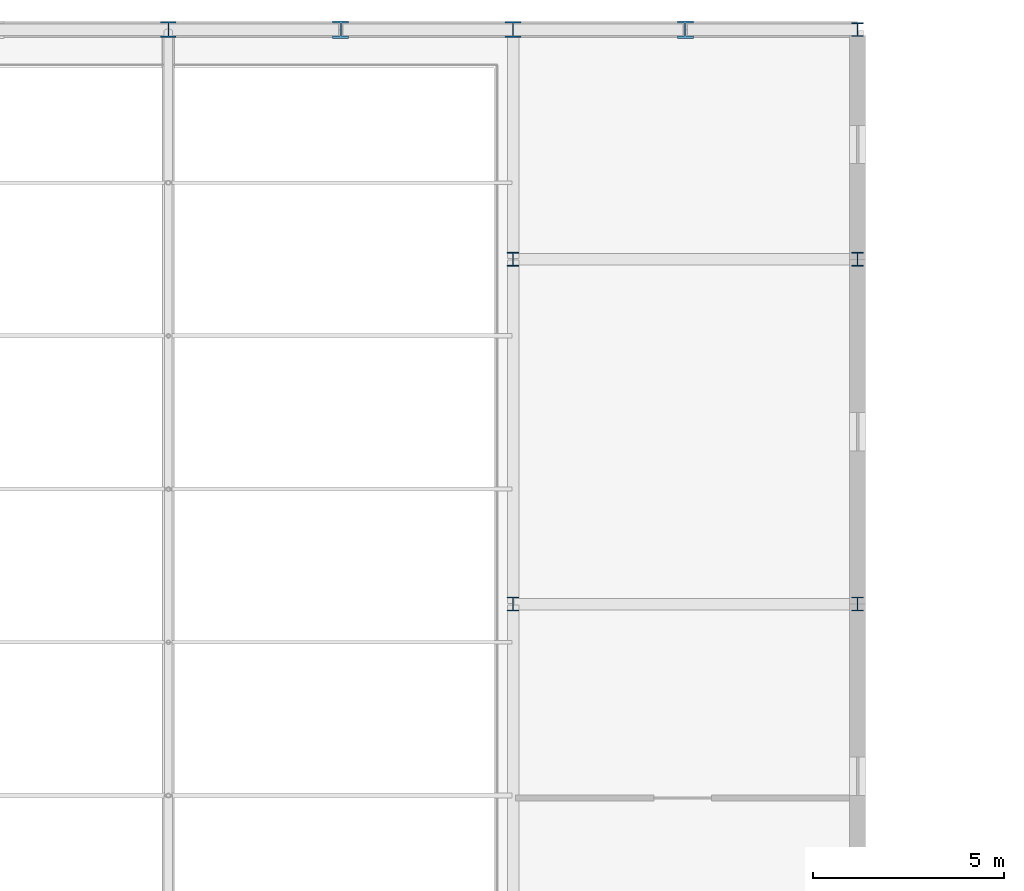
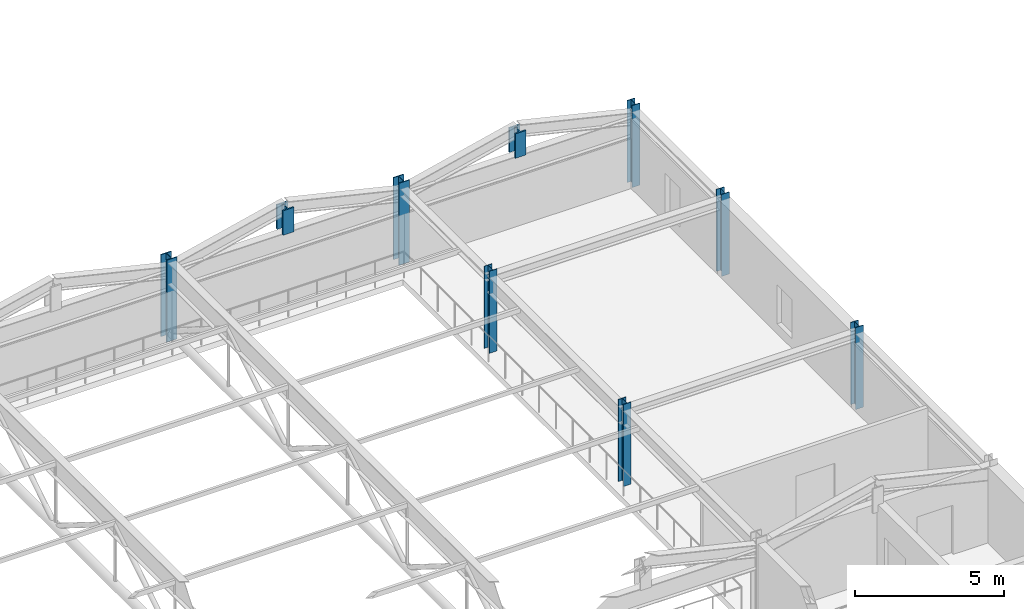
# One storey, part 10 of 91: 9 columns.
"""IFC4 building model written with IfcOpenShell, lengths in metres."""

from ifc_helpers import new_model, si_unit, direction, frame, origin, origin_2d, place, context, subcontext, project, spatial, i_section, extrude, material, material_profile, profile_set, type_object, element, save


model = new_model("IFC4")

# Units and contexts
model_context = context("Model", 3, precision=1e-05, world=origin(), true_north=direction((0.0, 1.0)))
body_context = subcontext(model_context, "Body", "Model", "MODEL_VIEW")
ifc_project = project(units=[si_unit("LENGTHUNIT", "METRE"), si_unit("AREAUNIT", "SQUARE_METRE"), si_unit("VOLUMEUNIT", "CUBIC_METRE"), si_unit("PLANEANGLEUNIT", "RADIAN"), si_unit("MASSUNIT", "GRAM", prefix="KILO")], contexts=[model_context])

# Site, building, storey
site_placement = place(None, origin())
site = spatial("IfcSite", under=ifc_project, at=site_placement, CompositionType="ELEMENT")
building_placement = place(site_placement, origin())
building = spatial("IfcBuilding", under=site, at=building_placement, Name="Palais des Congres Ocreval", CompositionType="ELEMENT")
storey_placement = place(building_placement, frame((0.0, 0.0, 8.159912109375)))
storey = spatial("IfcBuildingStorey", under=building, at=storey_placement, Name="L02", CompositionType="ELEMENT", Elevation=8.159912109375)

# Columns
ifc_material_1 = material(Name="Steel S355", Category="steel")
ifc_material_profile_1 = material_profile(ifc_material_1, i_section(OverallWidth=0.406005859375, OverallDepth=0.416015625, WebThickness=0.0224609375, FlangeThickness=0.0380859375, at=origin_2d()), Name="HD 400x382")
ifc_profile_set_1 = profile_set([ifc_material_profile_1], Name="Steel S355")
column_type_1 = type_object("IfcColumnType", Name="Column HD 400x382 Steel S355", PredefinedType="COLUMN", material=ifc_profile_set_1)
for number, where, z_axis, x_axis, name in (
    (1, (36.0, 114.0, 0.0), (0.0, 0.0, 1.0), (1.0, 0.0, 0.0), "Column C03 L02"),
    (2, (45.0, 114.0, 0.0), (0.0, 0.0, 1.0), (1.0, 0.0, 0.0), "Column C03 L02"),
):
    element("IfcColumn", number, at=place(storey_placement, frame(where, z_axis=z_axis, x_axis=x_axis)), inside=storey, type_object=column_type_1, Name=name, PredefinedType="COLUMN", context=body_context, shape_type="SweptSolid", body=[
        extrude(i_section(OverallWidth=0.406005859375, OverallDepth=0.416015625, WebThickness=0.0224609375, FlangeThickness=0.0380859375, at=origin_2d()), origin(), (0.0, 0.0, 1.0), 3.360107421875),
    ])
ifc_material_2 = material(Name="Steel S460", Category="steel")
ifc_material_profile_2 = material_profile(ifc_material_2, i_section(OverallWidth=0.41796875, OverallDepth=0.455078125, WebThickness=0.031982421875, FlangeThickness=0.055908203125, at=origin_2d()), Name="HD 400x551")
ifc_profile_set_2 = profile_set([ifc_material_profile_2], Name="Steel S460")
column_type_2 = type_object("IfcColumnType", Name="Column HD 400x551 Steel S460", PredefinedType="COLUMN", material=ifc_profile_set_2)
for number, where, z_axis, x_axis, name in (
    (3, (40.5, 114.0, 2.820068359375), (0.0, 0.0, 1.0), (1.0, 0.0, 0.0), "ROOF TRUSS King-Post Strut V1-5-114"),
    (4, (49.5, 114.0, 2.820068359375), (0.0, 0.0, 1.0), (1.0, 0.0, 0.0), "ROOF TRUSS King-Post Strut V1-6-114"),
):
    element("IfcColumn", number, at=place(storey_placement, frame(where, z_axis=z_axis, x_axis=x_axis)), inside=storey, type_object=column_type_2, Name=name, PredefinedType="COLUMN", context=body_context, shape_type="SweptSolid", body=[
        extrude(i_section(OverallWidth=0.41796875, OverallDepth=0.455078125, WebThickness=0.031982421875, FlangeThickness=0.055908203125, at=origin_2d()), origin(), (0.0, 0.0, 1.0), 1.005126953125),
    ])
ifc_material_profile_3 = material_profile(ifc_material_1, i_section(OverallWidth=0.300048828125, OverallDepth=0.360107421875, WebThickness=0.012451171875, FlangeThickness=0.0224609375, at=origin_2d()), Name="HEB 360")
ifc_profile_set_3 = profile_set([ifc_material_profile_3], Name="Steel S355")
column_type_3 = type_object("IfcColumnType", Name="Column HEB 360 Steel S355", PredefinedType="COLUMN", material=ifc_profile_set_3)
for number, where, z_axis, x_axis, name in (
    (5, (45.0, 99.0, 0.0), (0.0, 0.0, 1.0), (1.0, 0.0, 0.0), "Column C11 L02"),
    (6, (45.0, 108.0, 0.0), (0.0, 0.0, 1.0), (1.0, 0.0, 0.0), "Column C11 L02"),
    (7, (54.0, 99.0, 0.0), (0.0, 0.0, 1.0), (1.0, 0.0, 0.0), "Column C11 L02"),
    (8, (54.0, 108.0, 0.0), (0.0, 0.0, 1.0), (1.0, 0.0, 0.0), "Column C11 L02"),
    (9, (54.0, 114.0, 0.0), (0.0, 0.0, 1.0), (1.0, 0.0, 0.0), "Column C11 L02"),
):
    element("IfcColumn", number, at=place(storey_placement, frame(where, z_axis=z_axis, x_axis=x_axis)), inside=storey, type_object=column_type_3, Name=name, PredefinedType="COLUMN", context=body_context, shape_type="SweptSolid", body=[
        extrude(i_section(OverallWidth=0.300048828125, OverallDepth=0.360107421875, WebThickness=0.012451171875, FlangeThickness=0.0224609375, at=origin_2d()), origin(), (0.0, 0.0, 1.0), 3.360107421875),
    ])

save(model, "model.ifc")
